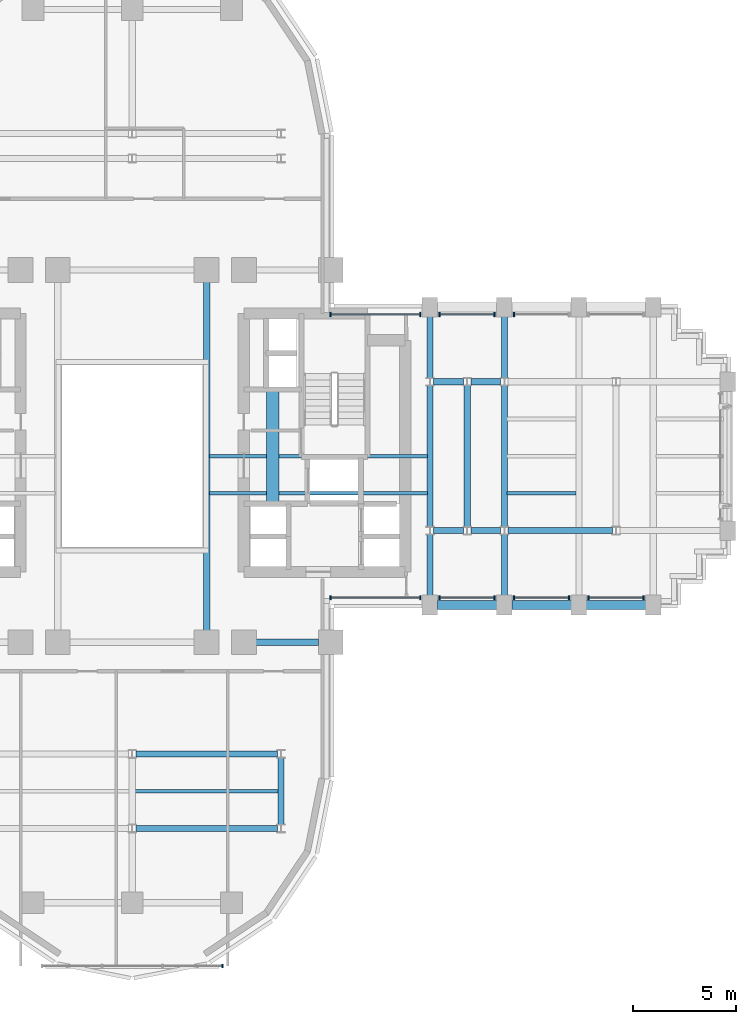
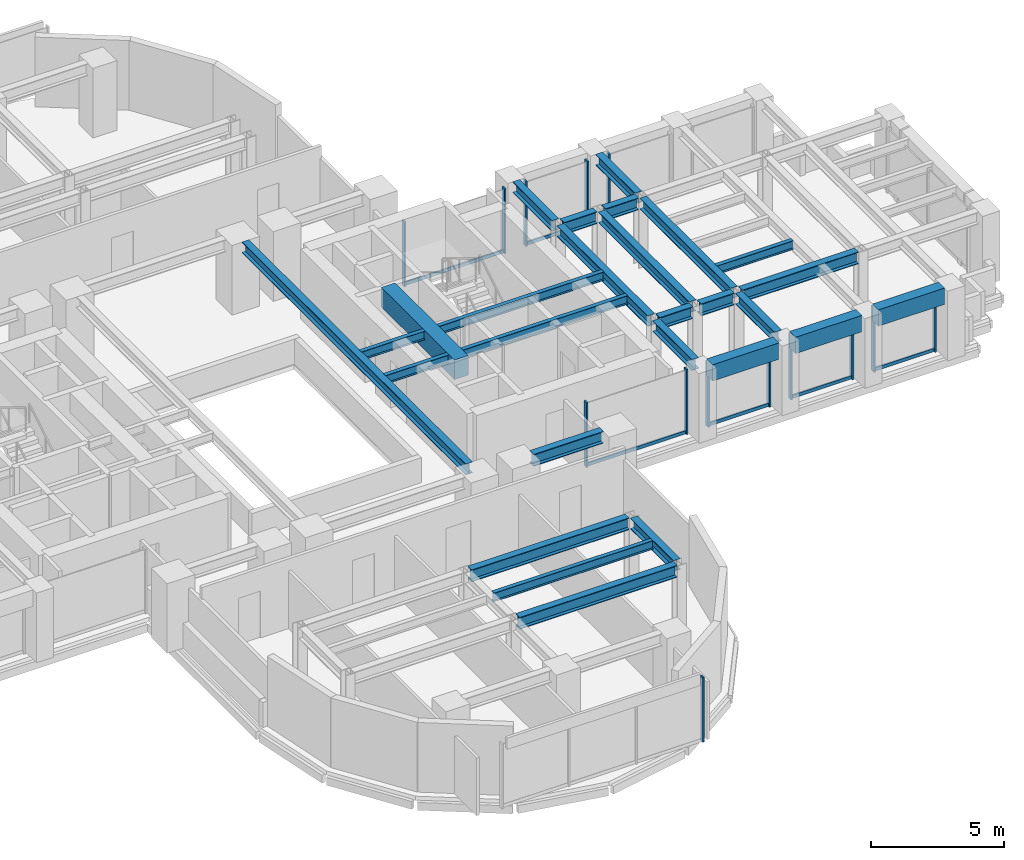
# One storey, part 5 of 16: 25 beams, 20 members, 8 elements without a shape of their own.
"""IFC4 building model written with IfcOpenShell, lengths in metres."""

from ifc_helpers import new_model, si_unit, direction, frame, origin, origin_2d, place, context, subcontext, project, spatial, rectangle, i_section, extrude, source, transform, mapped, material, material_profile, profile_set, type_object, element, aggregate, save


model = new_model("IFC4")

# Units and contexts
model_context = context("Model", 3, precision=1e-05, world=origin(), true_north=direction((0.0, 1.0)))
body_context = subcontext(model_context, "Body", "Model", "MODEL_VIEW")
ifc_project = project(units=[si_unit("LENGTHUNIT", "METRE"), si_unit("AREAUNIT", "SQUARE_METRE"), si_unit("VOLUMEUNIT", "CUBIC_METRE"), si_unit("PLANEANGLEUNIT", "RADIAN"), si_unit("MASSUNIT", "GRAM", prefix="KILO")], contexts=[model_context])

# Site, building, storey
site_placement = place(None, origin())
site = spatial("IfcSite", under=ifc_project, at=site_placement, CompositionType="ELEMENT")
building_placement = place(site_placement, origin())
building = spatial("IfcBuilding", under=site, at=building_placement, Name="Keilestroom Media Tower", CompositionType="ELEMENT")
storey_placement = place(building_placement, frame((0.0, 0.0, 78.199951171875)))
storey = spatial("IfcBuildingStorey", under=building, at=storey_placement, Name="L20", CompositionType="ELEMENT", Elevation=78.199951171875)

# Beams
ifc_material_1 = material(Name="Concrete C70/85", Category="concrete")
ifc_material_profile_1 = material_profile(ifc_material_1, rectangle(XDim=0.60009765625, YDim=0.89990234375, at=origin_2d()), Name="RC 600x900")
ifc_profile_set_1 = profile_set([ifc_material_profile_1], Name="Concrete C70/85")
beam_type_1 = type_object("IfcBeamType", Name="Core-Coupling-Lintel-Beam-RC-600x900", PredefinedType="LINTEL", material=ifc_profile_set_1)
shared_shape_1 = source(origin(), body_context, "Body", "SweptSolid", [
    extrude(rectangle(XDim=0.60009765625, YDim=0.89990234375, at=origin_2d()), origin(), (0.0, 0.0, 1.0), 5.52001953125),
])
beam_1_placement = place(storey_placement, frame((6.800048828125, -2.300048828125, 2.75), z_axis=(0.0, 1.0, 0.0), x_axis=(-1.0, 0.0, 0.0)))
element("IfcBeam", 1, at=beam_1_placement, inside=storey, type_object=beam_type_1, Name="L20 Beam CLB-1 CLB-L20-E", PredefinedType="LINTEL", context=body_context, shape_type="MappedRepresentation", body=[
    mapped(shared_shape_1, transform((0.0, 0.0, 0.0), x_axis=(1.0, 0.0, 0.0), y_axis=(0.0, 1.0, 0.0), z_axis=(0.0, 0.0, 1.0), scale=1.0)),
])
ifc_material_2 = material(Name="Steel S355", Category="steel")
ifc_material_profile_2 = material_profile(ifc_material_2, i_section(OverallWidth=0.300048828125, OverallDepth=0.550048828125, WebThickness=0.012939453125, FlangeThickness=0.029052734375, at=origin_2d()), Name="HEB 550")
ifc_profile_set_2 = profile_set([ifc_material_profile_2], Name="Steel S355")
beam_type_2 = type_object("IfcBeamType", Name="Primary-Structural-Girder-HEB-550", PredefinedType="BEAM", material=ifc_profile_set_2)
shared_shape_2 = source(origin(), body_context, "Body", "SweptSolid", [
    extrude(i_section(OverallWidth=0.300048828125, OverallDepth=0.550048828125, WebThickness=0.012939453125, FlangeThickness=0.029052734375, at=origin_2d()), origin(), (0.0, 0.0, 1.0), 6.836181640625),
])
for number, where, z_axis, x_axis, name in (
    (2, (0.181884765625, -18.0, 2.925048828125), (1.0, 0.0, 0.0), (0.0, 1.0, 0.0), "L20 Beam BG-5 BM-L20-EW-004"),
    (3, (0.181884765625, -14.39990234375, 2.925048828125), (1.0, 0.0, 0.0), (0.0, 1.0, 0.0), "L20 Beam BG-5 BM-L20-EW-006"),
):
    element("IfcBeam", number, at=place(storey_placement, frame(where, z_axis=z_axis, x_axis=x_axis)), inside=storey, type_object=beam_type_2, Name=name, PredefinedType="BEAM", context=body_context, shape_type="MappedRepresentation", body=[
        mapped(shared_shape_2, transform((0.0, 0.0, 0.0), x_axis=(1.0, 0.0, 0.0), y_axis=(0.0, 1.0, 0.0), z_axis=(0.0, 0.0, 1.0), scale=1.0)),
    ])
shared_shape_3 = source(origin(), body_context, "Body", "SweptSolid", [
    extrude(i_section(OverallWidth=0.300048828125, OverallDepth=0.550048828125, WebThickness=0.012939453125, FlangeThickness=0.029052734375, at=origin_2d()), origin(), (0.0, 0.0, 1.0), 3.0400390625),
])
beam_2_placement = place(storey_placement, frame((5.97998046875, -9.0, 2.925048828125), z_axis=(1.0, 0.0, 0.0), x_axis=(0.0, 1.0, 0.0)))
element("IfcBeam", 4, at=beam_2_placement, inside=storey, type_object=beam_type_2, Name="L20 Beam BG-5 BM-L20-EW-011", PredefinedType="BEAM", context=body_context, shape_type="MappedRepresentation", body=[
    mapped(shared_shape_3, transform((0.0, 0.0, 0.0), x_axis=(1.0, 0.0, 0.0), y_axis=(0.0, 1.0, 0.0), z_axis=(0.0, 0.0, 1.0), scale=1.0)),
])
ifc_material_3 = material(Name="Precast concrete C40/50", Category="concrete")
ifc_material_profile_3 = material_profile(ifc_material_3, rectangle(XDim=0.449951171875, YDim=0.75, at=origin_2d()), Name="PC 450x750")
ifc_profile_set_3 = profile_set([ifc_material_profile_3], Name="Precast concrete C40/50")
beam_type_3 = type_object("IfcBeamType", Name="Perimeter-Spandrel-Beam-PC-450x750", PredefinedType="SPANDREL", material=ifc_profile_set_3)
shared_shape_4 = source(origin(), body_context, "Body", "SweptSolid", [
    extrude(rectangle(XDim=0.449951171875, YDim=0.75, at=origin_2d()), origin(), (0.0, 0.0, 1.0), 2.889892578125),
])
beam_3_placement = place(storey_placement, frame((21.955078125, -7.199951171875, 2.824951171875), z_axis=(1.0, 0.0, 0.0), x_axis=(0.0, 1.0, 0.0)))
element("IfcBeam", 5, at=beam_3_placement, inside=storey, type_object=beam_type_3, Name="L20 Beam SPB-1 BM-L20-EW-017", PredefinedType="SPANDREL", context=body_context, shape_type="MappedRepresentation", body=[
    mapped(shared_shape_4, transform((0.0, 0.0, 0.0), x_axis=(1.0, 0.0, 0.0), y_axis=(0.0, 1.0, 0.0), z_axis=(0.0, 0.0, 1.0), scale=1.0)),
])
shared_shape_5 = source(origin(), body_context, "Body", "SweptSolid", [
    extrude(rectangle(XDim=0.449951171875, YDim=0.75, at=origin_2d()), origin(), (0.0, 0.0, 1.0), 2.89013671875),
])
for number, where, z_axis, x_axis, name in (
    (6, (14.7548828125, -7.199951171875, 2.824951171875), (1.0, 0.0, 0.0), (0.0, 1.0, 0.0), "L20 Beam SPB-1 BM-L20-EW-015"),
    (7, (18.35498046875, -7.199951171875, 2.824951171875), (1.0, 0.0, 0.0), (0.0, 1.0, 0.0), "L20 Beam SPB-1 BM-L20-EW-016"),
):
    element("IfcBeam", number, at=place(storey_placement, frame(where, z_axis=z_axis, x_axis=x_axis)), inside=storey, type_object=beam_type_3, Name=name, PredefinedType="SPANDREL", context=body_context, shape_type="MappedRepresentation", body=[
        mapped(shared_shape_5, transform((0.0, 0.0, 0.0), x_axis=(1.0, 0.0, 0.0), y_axis=(0.0, 1.0, 0.0), z_axis=(0.0, 0.0, 1.0), scale=1.0)),
    ])
shared_shape_6 = source(origin(), body_context, "Body", "SweptSolid", [
    extrude(i_section(OverallWidth=0.300048828125, OverallDepth=0.550048828125, WebThickness=0.012939453125, FlangeThickness=0.029052734375, at=origin_2d()), origin(), (0.0, 0.0, 1.0), 5.0361328125),
])
beam_4_placement = place(storey_placement, frame((18.181884765625, -3.60009765625, 2.925048828125), z_axis=(1.0, 0.0, 0.0), x_axis=(0.0, 1.0, 0.0)))
element("IfcBeam", 8, at=beam_4_placement, inside=storey, type_object=beam_type_2, Name="L20 Beam BG-5 BM-L20-EW-024", PredefinedType="BEAM", context=body_context, shape_type="MappedRepresentation", body=[
    mapped(shared_shape_6, transform((0.0, 0.0, 0.0), x_axis=(1.0, 0.0, 0.0), y_axis=(0.0, 1.0, 0.0), z_axis=(0.0, 0.0, 1.0), scale=1.0)),
])
shared_shape_7 = source(origin(), body_context, "Body", "SweptSolid", [
    extrude(i_section(OverallWidth=0.300048828125, OverallDepth=0.550048828125, WebThickness=0.012939453125, FlangeThickness=0.029052734375, at=origin_2d()), origin(), (0.0, 0.0, 1.0), 1.43603515625),
])
for number, where, z_axis, x_axis, name in (
    (9, (14.58203125, -3.60009765625, 2.925048828125), (1.0, 0.0, 0.0), (0.0, 1.0, 0.0), "L20 Beam BG-5 BM-L20-EW-022"),
    (10, (16.382080078125, -3.60009765625, 2.925048828125), (1.0, 0.0, 0.0), (0.0, 1.0, 0.0), "L20 Beam BG-5 BM-L20-EW-023"),
    (11, (14.58203125, 3.60009765625, 2.925048828125), (1.0, 0.0, 0.0), (0.0, 1.0, 0.0), "L20 Beam BG-5 BM-L20-EW-030"),
    (12, (16.382080078125, 3.60009765625, 2.925048828125), (1.0, 0.0, 0.0), (0.0, 1.0, 0.0), "L20 Beam BG-5 BM-L20-EW-031"),
):
    element("IfcBeam", number, at=place(storey_placement, frame(where, z_axis=z_axis, x_axis=x_axis)), inside=storey, type_object=beam_type_2, Name=name, PredefinedType="BEAM", context=body_context, shape_type="MappedRepresentation", body=[
        mapped(shared_shape_7, transform((0.0, 0.0, 0.0), x_axis=(1.0, 0.0, 0.0), y_axis=(0.0, 1.0, 0.0), z_axis=(0.0, 0.0, 1.0), scale=1.0)),
    ])
ifc_material_profile_4 = material_profile(ifc_material_2, i_section(OverallWidth=0.300048828125, OverallDepth=0.5, WebThickness=0.012451171875, FlangeThickness=0.028076171875, at=origin_2d()), Name="HEB 500")
ifc_profile_set_4 = profile_set([ifc_material_profile_4], Name="Steel S355")
beam_type_4 = type_object("IfcBeamType", Name="Primary-Structural-Girder-HEB-500", PredefinedType="BEAM", material=ifc_profile_set_4)
shared_shape_8 = source(origin(), body_context, "Body", "SweptSolid", [
    extrude(i_section(OverallWidth=0.300048828125, OverallDepth=0.5, WebThickness=0.012451171875, FlangeThickness=0.028076171875, at=origin_2d()), origin(), (0.0, 0.0, 1.0), 6.8330078125),
])
for number, where, z_axis, x_axis, name in (
    (13, (14.39990234375, -3.41650390625, 2.949951171875), (0.0, 1.0, 0.0), (-1.0, 0.0, 0.0), "L20 Beam BG-6 BM-L20-NS-077"),
    (14, (16.199951171875, -3.41650390625, 2.949951171875), (0.0, 1.0, 0.0), (-1.0, 0.0, 0.0), "L20 Beam BG-6 BM-L20-NS-079"),
    (15, (18.0, -3.41650390625, 2.949951171875), (0.0, 1.0, 0.0), (-1.0, 0.0, 0.0), "L20 Beam BG-6 BM-L20-NS-081"),
):
    element("IfcBeam", number, at=place(storey_placement, frame(where, z_axis=z_axis, x_axis=x_axis)), inside=storey, type_object=beam_type_4, Name=name, PredefinedType="BEAM", context=body_context, shape_type="MappedRepresentation", body=[
        mapped(shared_shape_8, transform((0.0, 0.0, 0.0), x_axis=(1.0, 0.0, 0.0), y_axis=(0.0, 1.0, 0.0), z_axis=(0.0, 0.0, 1.0), scale=1.0)),
    ])
shared_shape_9 = source(origin(), body_context, "Body", "SweptSolid", [
    extrude(i_section(OverallWidth=0.300048828125, OverallDepth=0.5, WebThickness=0.012451171875, FlangeThickness=0.028076171875, at=origin_2d()), origin(), (0.0, 0.0, 1.0), 2.961669921875),
])
for number, where, z_axis, x_axis, name in (
    (16, (14.39990234375, -6.7451171875, 2.949951171875), (0.0, 1.0, 0.0), (-1.0, 0.0, 0.0), "L20 Beam BG-6 BM-L20-NS-076"),
    (17, (14.39990234375, 3.783447265625, 2.949951171875), (0.0, 1.0, 0.0), (-1.0, 0.0, 0.0), "L20 Beam BG-6 BM-L20-NS-078"),
    (18, (18.0, -6.7451171875, 2.949951171875), (0.0, 1.0, 0.0), (-1.0, 0.0, 0.0), "L20 Beam BG-6 BM-L20-NS-080"),
    (19, (18.0, 3.783447265625, 2.949951171875), (0.0, 1.0, 0.0), (-1.0, 0.0, 0.0), "L20 Beam BG-6 BM-L20-NS-082"),
):
    element("IfcBeam", number, at=place(storey_placement, frame(where, z_axis=z_axis, x_axis=x_axis)), inside=storey, type_object=beam_type_4, Name=name, PredefinedType="BEAM", context=body_context, shape_type="MappedRepresentation", body=[
        mapped(shared_shape_9, transform((0.0, 0.0, 0.0), x_axis=(1.0, 0.0, 0.0), y_axis=(0.0, 1.0, 0.0), z_axis=(0.0, 0.0, 1.0), scale=1.0)),
    ])
shared_shape_10 = source(origin(), body_context, "Body", "SweptSolid", [
    extrude(i_section(OverallWidth=0.300048828125, OverallDepth=0.5, WebThickness=0.012451171875, FlangeThickness=0.028076171875, at=origin_2d()), origin(), (0.0, 0.0, 1.0), 3.23291015625),
])
beam_5_placement = place(storey_placement, frame((7.199951171875, -17.81640625, 2.949951171875), z_axis=(0.0, 1.0, 0.0), x_axis=(-1.0, 0.0, 0.0)))
element("IfcBeam", 20, at=beam_5_placement, inside=storey, type_object=beam_type_4, Name="L20 Beam BG-6 BM-L20-NS-073", PredefinedType="BEAM", context=body_context, shape_type="MappedRepresentation", body=[
    mapped(shared_shape_10, transform((0.0, 0.0, 0.0), x_axis=(1.0, 0.0, 0.0), y_axis=(0.0, 1.0, 0.0), z_axis=(0.0, 0.0, 1.0), scale=1.0)),
])
shared_shape_11 = source(origin(), body_context, "Body", "SweptSolid", [
    extrude(i_section(OverallWidth=0.300048828125, OverallDepth=0.5, WebThickness=0.012451171875, FlangeThickness=0.028076171875, at=origin_2d()), origin(), (0.0, 0.0, 1.0), 16.83984375),
])
beam_6_placement = place(storey_placement, frame((3.60009765625, -8.419921875, 2.949951171875), z_axis=(0.0, 1.0, 0.0), x_axis=(-1.0, 0.0, 0.0)))
element("IfcBeam", 21, at=beam_6_placement, inside=storey, type_object=beam_type_4, Name="L20 Beam BG-6 BM-L20-NS-071", PredefinedType="BEAM", context=body_context, shape_type="MappedRepresentation", body=[
    mapped(shared_shape_11, transform((0.0, 0.0, 0.0), x_axis=(1.0, 0.0, 0.0), y_axis=(0.0, 1.0, 0.0), z_axis=(0.0, 0.0, 1.0), scale=1.0)),
])
ifc_material_profile_5 = material_profile(ifc_material_2, i_section(OverallWidth=0.179931640625, OverallDepth=0.39990234375, WebThickness=0.008544921875, FlangeThickness=0.013427734375, at=origin_2d()), Name="IPE 400")
ifc_profile_set_5 = profile_set([ifc_material_profile_5], Name="Steel S355")
beam_type_5 = type_object("IfcBeamType", Name="Secondary-Floor-Joist-IPE-400", PredefinedType="JOIST", material=ifc_profile_set_5)
shared_shape_12 = source(origin(), body_context, "Body", "SweptSolid", [
    extrude(i_section(OverallWidth=0.179931640625, OverallDepth=0.39990234375, WebThickness=0.008544921875, FlangeThickness=0.013427734375, at=origin_2d()), origin(), (0.0, 0.0, 1.0), 6.940185546875),
])
beam_7_placement = place(storey_placement, frame((0.1298828125, -16.199951171875, 3.0), z_axis=(1.0, 0.0, 0.0), x_axis=(0.0, 1.0, 0.0)))
element("IfcBeam", 22, at=beam_7_placement, inside=storey, type_object=beam_type_5, Name="L20 Beam BJ-4 JST-L20-088", PredefinedType="JOIST", context=body_context, shape_type="MappedRepresentation", body=[
    mapped(shared_shape_12, transform((0.0, 0.0, 0.0), x_axis=(1.0, 0.0, 0.0), y_axis=(0.0, 1.0, 0.0), z_axis=(0.0, 0.0, 1.0), scale=1.0)),
])
shared_shape_13 = source(origin(), body_context, "Body", "SweptSolid", [
    extrude(i_section(OverallWidth=0.179931640625, OverallDepth=0.39990234375, WebThickness=0.008544921875, FlangeThickness=0.013427734375, at=origin_2d()), origin(), (0.0, 0.0, 1.0), 3.340087890625),
])
beam_8_placement = place(storey_placement, frame((18.1298828125, -1.800048828125, 3.0), z_axis=(1.0, 0.0, 0.0), x_axis=(0.0, 1.0, 0.0)))
element("IfcBeam", 23, at=beam_8_placement, inside=storey, type_object=beam_type_5, Name="L20 Beam BJ-4 JST-L20-094", PredefinedType="JOIST", context=body_context, shape_type="MappedRepresentation", body=[
    mapped(shared_shape_13, transform((0.0, 0.0, 0.0), x_axis=(1.0, 0.0, 0.0), y_axis=(0.0, 1.0, 0.0), z_axis=(0.0, 0.0, 1.0), scale=1.0)),
])
shared_shape_14 = source(origin(), body_context, "Body", "SweptSolid", [
    extrude(i_section(OverallWidth=0.179931640625, OverallDepth=0.39990234375, WebThickness=0.008544921875, FlangeThickness=0.013427734375, at=origin_2d()), origin(), (0.0, 0.0, 1.0), 10.5400390625),
])
for number, where, z_axis, x_axis, name in (
    (24, (3.72998046875, -1.800048828125, 3.0), (1.0, 0.0, 0.0), (0.0, 1.0, 0.0), "L20 Beam BJ-4 JST-L20-093"),
    (25, (3.72998046875, 0.0, 3.0), (1.0, 0.0, 0.0), (0.0, 1.0, 0.0), "L20 Beam BJ-4 JST-L20-100"),
):
    element("IfcBeam", number, at=place(storey_placement, frame(where, z_axis=z_axis, x_axis=x_axis)), inside=storey, type_object=beam_type_5, Name=name, PredefinedType="JOIST", context=body_context, shape_type="MappedRepresentation", body=[
        mapped(shared_shape_14, transform((0.0, 0.0, 0.0), x_axis=(1.0, 0.0, 0.0), y_axis=(0.0, 1.0, 0.0), z_axis=(0.0, 0.0, 1.0), scale=1.0)),
    ])

# Curtain wall, members
ifc_material_4 = material(Name="Anodised Aluminium Alloy", Category="aluminium")
curtain_wall_type_1 = type_object("IfcCurtainWallType", Name="Unitised-Curtain-Wall-CW-1", PredefinedType="NOTDEFINED", material=ifc_material_4)
curtain_wall_1_placement = place(storey_placement, origin())
curtain_wall_1 = element("IfcCurtainWall", 26, at=curtain_wall_1_placement, inside=storey, type_object=curtain_wall_type_1, Name="L20 Curtain Wall CW-1 CW-L20-NE-1", PredefinedType="NOTDEFINED")
ifc_material_profile_6 = material_profile(ifc_material_4, rectangle(XDim=0.070068359375, YDim=0.199951171875, at=origin_2d()), Name="ALU MULLION 70x200")
ifc_profile_set_6 = profile_set([ifc_material_profile_6], Name="Anodised Aluminium Alloy")
member_type_1 = type_object("IfcMemberType", Name="Curtain-Wall-Mullion-CW-1", PredefinedType="MULLION", material=ifc_profile_set_6)
shared_shape_15 = source(origin(), body_context, "Body", "SweptSolid", [
    extrude(rectangle(XDim=0.070068359375, YDim=0.199951171875, at=origin_2d()), origin(), (0.0, 0.0, 1.0), 2.97998046875),
])
member_1_placement = place(storey_placement, frame((9.5849609375, 6.85009765625, 0.0), z_axis=(0.0, 0.0, 1.0), x_axis=(1.0, 0.0, 0.0)))
member_1 = element("IfcMember", 27, at=member_1_placement, type_object=member_type_1, Name="CW-1 Mullion 00", PredefinedType="MULLION", context=body_context, shape_type="MappedRepresentation", body=[
    mapped(shared_shape_15, transform((0.0, 0.0, 0.0), x_axis=(1.0, 0.0, 0.0), y_axis=(0.0, 1.0, 0.0), z_axis=(0.0, 0.0, 1.0), scale=1.0)),
])
member_2_placement = place(storey_placement, frame((13.929931640625, 6.85009765625, 0.0), z_axis=(0.0, 0.0, 1.0), x_axis=(1.0, 0.0, 0.0)))
member_2 = element("IfcMember", 28, at=member_2_placement, type_object=member_type_1, Name="CW-1 Mullion 01", PredefinedType="MULLION", context=body_context, shape_type="MappedRepresentation", body=[
    mapped(shared_shape_15, transform((0.0, 0.0, 0.0), x_axis=(1.0, 0.0, 0.0), y_axis=(0.0, 1.0, 0.0), z_axis=(0.0, 0.0, 1.0), scale=1.0)),
])

curtain_wall_2_placement = place(storey_placement, origin())
curtain_wall_2 = element("IfcCurtainWall", 29, at=curtain_wall_2_placement, inside=storey, type_object=curtain_wall_type_1, Name="L20 Curtain Wall CW-1 CW-L20-NE-2", PredefinedType="NOTDEFINED")
member_3_placement = place(storey_placement, frame((14.8701171875, 6.85009765625, 0.0), z_axis=(0.0, 0.0, 1.0), x_axis=(1.0, 0.0, 0.0)))
member_3 = element("IfcMember", 30, at=member_3_placement, type_object=member_type_1, Name="CW-1 Mullion 00", PredefinedType="MULLION", context=body_context, shape_type="MappedRepresentation", body=[
    mapped(shared_shape_15, transform((0.0, 0.0, 0.0), x_axis=(1.0, 0.0, 0.0), y_axis=(0.0, 1.0, 0.0), z_axis=(0.0, 0.0, 1.0), scale=1.0)),
])
member_4_placement = place(storey_placement, frame((17.530029296875, 6.85009765625, 0.0), z_axis=(0.0, 0.0, 1.0), x_axis=(1.0, 0.0, 0.0)))
member_4 = element("IfcMember", 31, at=member_4_placement, type_object=member_type_1, Name="CW-1 Mullion 01", PredefinedType="MULLION", context=body_context, shape_type="MappedRepresentation", body=[
    mapped(shared_shape_15, transform((0.0, 0.0, 0.0), x_axis=(1.0, 0.0, 0.0), y_axis=(0.0, 1.0, 0.0), z_axis=(0.0, 0.0, 1.0), scale=1.0)),
])

# Curtain wall, member
curtain_wall_3_placement = place(storey_placement, origin())
curtain_wall_3 = element("IfcCurtainWall", 32, at=curtain_wall_3_placement, inside=storey, type_object=curtain_wall_type_1, Name="L20 Curtain Wall CW-1 CW-L20-NE-3", PredefinedType="NOTDEFINED")
member_5_placement = place(storey_placement, frame((18.469970703125, 6.85009765625, 0.0), z_axis=(0.0, 0.0, 1.0), x_axis=(1.0, 0.0, 0.0)))
member_5 = element("IfcMember", 33, at=member_5_placement, type_object=member_type_1, Name="CW-1 Mullion 00", PredefinedType="MULLION", context=body_context, shape_type="MappedRepresentation", body=[
    mapped(shared_shape_15, transform((0.0, 0.0, 0.0), x_axis=(1.0, 0.0, 0.0), y_axis=(0.0, 1.0, 0.0), z_axis=(0.0, 0.0, 1.0), scale=1.0)),
])
aggregate(curtain_wall_3, [member_5])

# Curtain wall, members
curtain_wall_4_placement = place(storey_placement, origin())
curtain_wall_4 = element("IfcCurtainWall", 34, at=curtain_wall_4_placement, inside=storey, type_object=curtain_wall_type_1, Name="L20 Curtain Wall CW-1 CW-L20-SE-1", PredefinedType="NOTDEFINED")
member_6_placement = place(storey_placement, frame((9.5849609375, -6.85009765625, 0.0), z_axis=(0.0, 0.0, 1.0), x_axis=(1.0, 0.0, 0.0)))
member_6 = element("IfcMember", 35, at=member_6_placement, type_object=member_type_1, Name="CW-1 Mullion 00", PredefinedType="MULLION", context=body_context, shape_type="MappedRepresentation", body=[
    mapped(shared_shape_15, transform((0.0, 0.0, 0.0), x_axis=(1.0, 0.0, 0.0), y_axis=(0.0, 1.0, 0.0), z_axis=(0.0, 0.0, 1.0), scale=1.0)),
])
member_7_placement = place(storey_placement, frame((13.929931640625, -6.85009765625, 0.0), z_axis=(0.0, 0.0, 1.0), x_axis=(1.0, 0.0, 0.0)))
member_7 = element("IfcMember", 36, at=member_7_placement, type_object=member_type_1, Name="CW-1 Mullion 01", PredefinedType="MULLION", context=body_context, shape_type="MappedRepresentation", body=[
    mapped(shared_shape_15, transform((0.0, 0.0, 0.0), x_axis=(1.0, 0.0, 0.0), y_axis=(0.0, 1.0, 0.0), z_axis=(0.0, 0.0, 1.0), scale=1.0)),
])

curtain_wall_5_placement = place(storey_placement, origin())
curtain_wall_5 = element("IfcCurtainWall", 37, at=curtain_wall_5_placement, inside=storey, type_object=curtain_wall_type_1, Name="L20 Curtain Wall CW-1 CW-L20-SE-2", PredefinedType="NOTDEFINED")
member_8_placement = place(storey_placement, frame((14.8701171875, -6.85009765625, 0.0), z_axis=(0.0, 0.0, 1.0), x_axis=(1.0, 0.0, 0.0)))
member_8 = element("IfcMember", 38, at=member_8_placement, type_object=member_type_1, Name="CW-1 Mullion 00", PredefinedType="MULLION", context=body_context, shape_type="MappedRepresentation", body=[
    mapped(shared_shape_15, transform((0.0, 0.0, 0.0), x_axis=(1.0, 0.0, 0.0), y_axis=(0.0, 1.0, 0.0), z_axis=(0.0, 0.0, 1.0), scale=1.0)),
])
member_9_placement = place(storey_placement, frame((17.530029296875, -6.85009765625, 0.0), z_axis=(0.0, 0.0, 1.0), x_axis=(1.0, 0.0, 0.0)))
member_9 = element("IfcMember", 39, at=member_9_placement, type_object=member_type_1, Name="CW-1 Mullion 01", PredefinedType="MULLION", context=body_context, shape_type="MappedRepresentation", body=[
    mapped(shared_shape_15, transform((0.0, 0.0, 0.0), x_axis=(1.0, 0.0, 0.0), y_axis=(0.0, 1.0, 0.0), z_axis=(0.0, 0.0, 1.0), scale=1.0)),
])

curtain_wall_6_placement = place(storey_placement, origin())
curtain_wall_6 = element("IfcCurtainWall", 40, at=curtain_wall_6_placement, inside=storey, type_object=curtain_wall_type_1, Name="L20 Curtain Wall CW-1 CW-L20-SE-3", PredefinedType="NOTDEFINED")
member_10_placement = place(storey_placement, frame((18.469970703125, -6.85009765625, 0.0), z_axis=(0.0, 0.0, 1.0), x_axis=(1.0, 0.0, 0.0)))
member_10 = element("IfcMember", 41, at=member_10_placement, type_object=member_type_1, Name="CW-1 Mullion 00", PredefinedType="MULLION", context=body_context, shape_type="MappedRepresentation", body=[
    mapped(shared_shape_15, transform((0.0, 0.0, 0.0), x_axis=(1.0, 0.0, 0.0), y_axis=(0.0, 1.0, 0.0), z_axis=(0.0, 0.0, 1.0), scale=1.0)),
])
member_11_placement = place(storey_placement, frame((21.1298828125, -6.85009765625, 0.0), z_axis=(0.0, 0.0, 1.0), x_axis=(1.0, 0.0, 0.0)))
member_11 = element("IfcMember", 42, at=member_11_placement, type_object=member_type_1, Name="CW-1 Mullion 01", PredefinedType="MULLION", context=body_context, shape_type="MappedRepresentation", body=[
    mapped(shared_shape_15, transform((0.0, 0.0, 0.0), x_axis=(1.0, 0.0, 0.0), y_axis=(0.0, 1.0, 0.0), z_axis=(0.0, 0.0, 1.0), scale=1.0)),
])

curtain_wall_7_placement = place(storey_placement, origin())
curtain_wall_7 = element("IfcCurtainWall", 43, at=curtain_wall_7_placement, inside=storey, type_object=curtain_wall_type_1, Name="L20 Curtain Wall CW-1 CW-L20-SE-4", PredefinedType="NOTDEFINED")
member_12_placement = place(storey_placement, frame((22.070068359375, -6.85009765625, 0.0), z_axis=(0.0, 0.0, 1.0), x_axis=(1.0, 0.0, 0.0)))
member_12 = element("IfcMember", 44, at=member_12_placement, type_object=member_type_1, Name="CW-1 Mullion 00", PredefinedType="MULLION", context=body_context, shape_type="MappedRepresentation", body=[
    mapped(shared_shape_15, transform((0.0, 0.0, 0.0), x_axis=(1.0, 0.0, 0.0), y_axis=(0.0, 1.0, 0.0), z_axis=(0.0, 0.0, 1.0), scale=1.0)),
])
member_13_placement = place(storey_placement, frame((24.72998046875, -6.85009765625, 0.0), z_axis=(0.0, 0.0, 1.0), x_axis=(1.0, 0.0, 0.0)))
member_13 = element("IfcMember", 45, at=member_13_placement, type_object=member_type_1, Name="CW-1 Mullion 01", PredefinedType="MULLION", context=body_context, shape_type="MappedRepresentation", body=[
    mapped(shared_shape_15, transform((0.0, 0.0, 0.0), x_axis=(1.0, 0.0, 0.0), y_axis=(0.0, 1.0, 0.0), z_axis=(0.0, 0.0, 1.0), scale=1.0)),
])

# Member
ifc_material_profile_7 = material_profile(ifc_material_4, rectangle(XDim=0.06494140625, YDim=0.14990234375, at=origin_2d()), Name="ALU TRANSOM 65x150")
ifc_profile_set_7 = profile_set([ifc_material_profile_7], Name="Anodised Aluminium Alloy")
member_type_2 = type_object("IfcMemberType", Name="Curtain-Wall-Transom-CW-1", PredefinedType="USERDEFINED", material=ifc_profile_set_7)
shared_shape_16 = source(origin(), body_context, "Body", "SweptSolid", [
    extrude(rectangle(XDim=0.06494140625, YDim=0.14990234375, at=origin_2d()), origin(), (0.0, 0.0, 1.0), 2.593994140625),
])
member_14_placement = place(storey_placement, frame((14.903076171875, 6.85009765625, 0.074951171875), z_axis=(1.0, 0.0, 0.0), x_axis=(0.0, 1.0, 0.0)))
member_14 = element("IfcMember", 46, at=member_14_placement, type_object=member_type_2, Name="CW-1 Transom 00.1", ObjectType="TRANSOM", PredefinedType="USERDEFINED", context=body_context, shape_type="MappedRepresentation", body=[
    mapped(shared_shape_16, transform((0.0, 0.0, 0.0), x_axis=(1.0, 0.0, 0.0), y_axis=(0.0, 1.0, 0.0), z_axis=(0.0, 0.0, 1.0), scale=1.0)),
])

aggregate(curtain_wall_2, [member_3, member_4, member_14])

member_15_placement = place(storey_placement, frame((14.903076171875, -6.85009765625, 0.074951171875), z_axis=(1.0, 0.0, 0.0), x_axis=(0.0, 1.0, 0.0)))
member_15 = element("IfcMember", 47, at=member_15_placement, type_object=member_type_2, Name="CW-1 Transom 00.1", ObjectType="TRANSOM", PredefinedType="USERDEFINED", context=body_context, shape_type="MappedRepresentation", body=[
    mapped(shared_shape_16, transform((0.0, 0.0, 0.0), x_axis=(1.0, 0.0, 0.0), y_axis=(0.0, 1.0, 0.0), z_axis=(0.0, 0.0, 1.0), scale=1.0)),
])

aggregate(curtain_wall_5, [member_8, member_9, member_15])

member_16_placement = place(storey_placement, frame((18.5029296875, -6.85009765625, 0.074951171875), z_axis=(1.0, 0.0, 0.0), x_axis=(0.0, 1.0, 0.0)))
member_16 = element("IfcMember", 48, at=member_16_placement, type_object=member_type_2, Name="CW-1 Transom 00.1", ObjectType="TRANSOM", PredefinedType="USERDEFINED", context=body_context, shape_type="MappedRepresentation", body=[
    mapped(shared_shape_16, transform((0.0, 0.0, 0.0), x_axis=(1.0, 0.0, 0.0), y_axis=(0.0, 1.0, 0.0), z_axis=(0.0, 0.0, 1.0), scale=1.0)),
])

aggregate(curtain_wall_6, [member_10, member_11, member_16])

member_17_placement = place(storey_placement, frame((22.10302734375, -6.85009765625, 0.074951171875), z_axis=(1.0, 0.0, 0.0), x_axis=(0.0, 1.0, 0.0)))
member_17 = element("IfcMember", 49, at=member_17_placement, type_object=member_type_2, Name="CW-1 Transom 00.1", ObjectType="TRANSOM", PredefinedType="USERDEFINED", context=body_context, shape_type="MappedRepresentation", body=[
    mapped(shared_shape_16, transform((0.0, 0.0, 0.0), x_axis=(1.0, 0.0, 0.0), y_axis=(0.0, 1.0, 0.0), z_axis=(0.0, 0.0, 1.0), scale=1.0)),
])

aggregate(curtain_wall_7, [member_12, member_13, member_17])

shared_shape_17 = source(origin(), body_context, "Body", "SweptSolid", [
    extrude(rectangle(XDim=0.06494140625, YDim=0.14990234375, at=origin_2d()), origin(), (0.0, 0.0, 1.0), 4.279052734375),
])
member_18_placement = place(storey_placement, frame((9.617919921875, 6.85009765625, 0.074951171875), z_axis=(1.0, 0.0, 0.0), x_axis=(0.0, 1.0, 0.0)))
member_18 = element("IfcMember", 50, at=member_18_placement, type_object=member_type_2, Name="CW-1 Transom 00.1", ObjectType="TRANSOM", PredefinedType="USERDEFINED", context=body_context, shape_type="MappedRepresentation", body=[
    mapped(shared_shape_17, transform((0.0, 0.0, 0.0), x_axis=(1.0, 0.0, 0.0), y_axis=(0.0, 1.0, 0.0), z_axis=(0.0, 0.0, 1.0), scale=1.0)),
])

aggregate(curtain_wall_1, [member_1, member_2, member_18])

member_19_placement = place(storey_placement, frame((9.617919921875, -6.85009765625, 0.074951171875), z_axis=(1.0, 0.0, 0.0), x_axis=(0.0, 1.0, 0.0)))
member_19 = element("IfcMember", 51, at=member_19_placement, type_object=member_type_2, Name="CW-1 Transom 00.1", ObjectType="TRANSOM", PredefinedType="USERDEFINED", context=body_context, shape_type="MappedRepresentation", body=[
    mapped(shared_shape_17, transform((0.0, 0.0, 0.0), x_axis=(1.0, 0.0, 0.0), y_axis=(0.0, 1.0, 0.0), z_axis=(0.0, 0.0, 1.0), scale=1.0)),
])

aggregate(curtain_wall_4, [member_6, member_7, member_19])

# Curtain wall, member
curtain_wall_type_2 = type_object("IfcCurtainWallType", Name="Unitised-Curtain-Wall-CW-6", PredefinedType="NOTDEFINED", material=ifc_material_4)
curtain_wall_8_placement = place(storey_placement, origin())
curtain_wall_8 = element("IfcCurtainWall", 52, at=curtain_wall_8_placement, inside=storey, type_object=curtain_wall_type_2, Name="L20 Curtain Wall CW-6 CW-L20-LS-1", PredefinedType="NOTDEFINED")
ifc_material_profile_8 = material_profile(ifc_material_4, rectangle(XDim=0.06494140625, YDim=0.179931640625, at=origin_2d()), Name="ALU MULLION 65x180")
ifc_profile_set_8 = profile_set([ifc_material_profile_8], Name="Anodised Aluminium Alloy")
member_type_3 = type_object("IfcMemberType", Name="Curtain-Wall-Mullion-CW-6", PredefinedType="MULLION", material=ifc_profile_set_8)
shared_shape_18 = source(origin(), body_context, "Body", "SweptSolid", [
    extrude(rectangle(XDim=0.06494140625, YDim=0.179931640625, at=origin_2d()), origin(), (0.0, 0.0, 1.0), 2.97998046875),
])
member_20_placement = place(storey_placement, frame((4.367431640625, -24.64990234375, 0.0), z_axis=(0.0, 0.0, 1.0), x_axis=(1.0, 0.0, 0.0)))
member_20 = element("IfcMember", 53, at=member_20_placement, type_object=member_type_3, Name="CW-6 Mullion 03", PredefinedType="MULLION", context=body_context, shape_type="MappedRepresentation", body=[
    mapped(shared_shape_18, transform((0.0, 0.0, 0.0), x_axis=(1.0, 0.0, 0.0), y_axis=(0.0, 1.0, 0.0), z_axis=(0.0, 0.0, 1.0), scale=1.0)),
])
aggregate(curtain_wall_8, [member_20])

save(model, "model.ifc")
